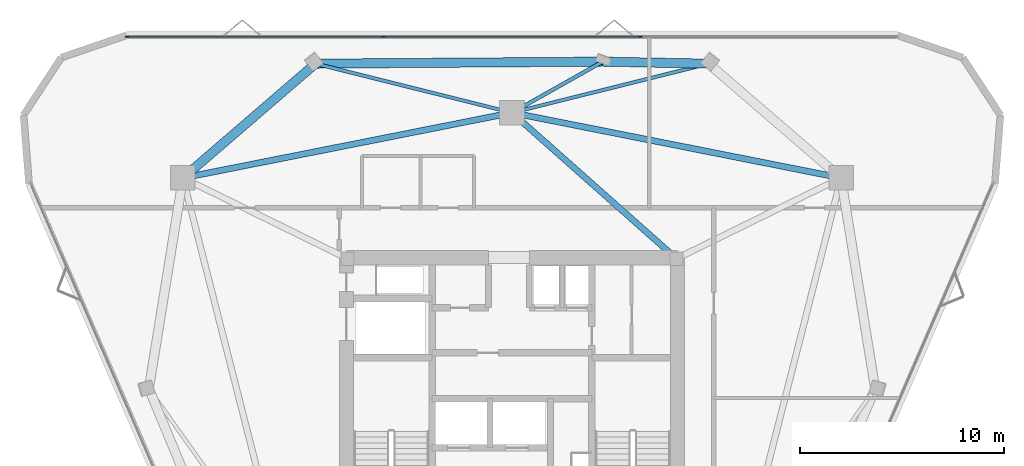
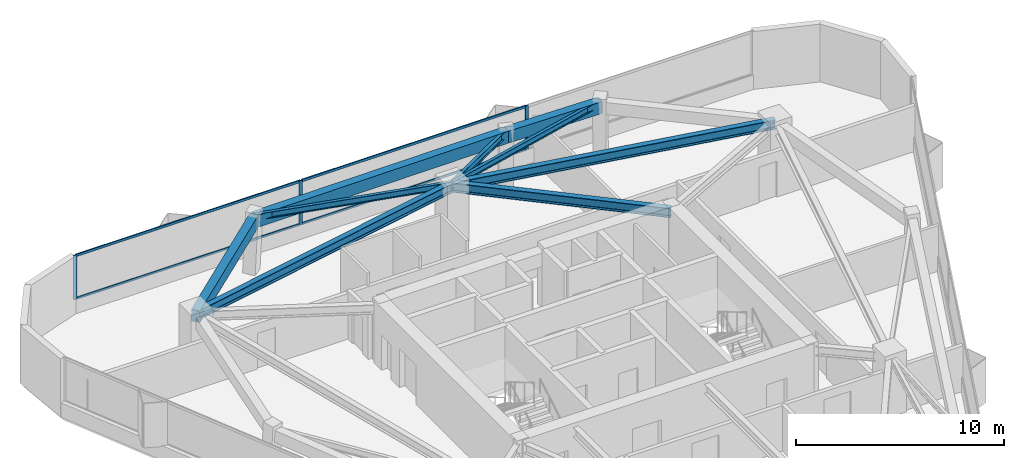
# One storey, part 6 of 11: 9 beams, 7 members, 1 element without a shape of its own.
"""IFC4 building model written with IfcOpenShell, lengths in metres."""

from ifc_helpers import new_model, si_unit, direction, frame, origin, origin_2d, place, context, subcontext, project, spatial, rectangle, i_section, extrude, material, layer, layer_set, material_profile, profile_set, type_object, element, aggregate, save


model = new_model("IFC4")

# Units and contexts
model_context = context("Model", 3, precision=1e-05, world=origin(), true_north=direction((0.0, 1.0)))
body_context = subcontext(model_context, "Body", "Model", "MODEL_VIEW")
ifc_project = project(units=[si_unit("LENGTHUNIT", "METRE"), si_unit("AREAUNIT", "SQUARE_METRE"), si_unit("VOLUMEUNIT", "CUBIC_METRE"), si_unit("PLANEANGLEUNIT", "RADIAN"), si_unit("MASSUNIT", "GRAM", prefix="KILO")], contexts=[model_context])

# Site, building, storey
site_placement = place(None, origin())
site = spatial("IfcSite", under=ifc_project, at=site_placement, CompositionType="ELEMENT")
building_placement = place(site_placement, origin())
building = spatial("IfcBuilding", under=site, at=building_placement, Name="Talyreon Biosciences Tower", CompositionType="ELEMENT")
storey_placement = place(building_placement, frame((0.0, 0.0, 242.550048828125)))
storey = spatial("IfcBuildingStorey", under=building, at=storey_placement, Name="L64", CompositionType="ELEMENT", Elevation=242.550048828125)

# Curtain wall, members
ifc_material_1 = material(Name="Thermally broken aluminium and low-E glazing", Category="aluminium")
ifc_layer = layer(ifc_material_1, 0.175048828125)
ifc_layer_set = layer_set([ifc_layer], Name="Thermally broken aluminium and low-E glazing")
curtain_wall_type = type_object("IfcCurtainWallType", Name="CurtainWall_Zone5CompLab", PredefinedType="NOTDEFINED", material=ifc_layer_set)
curtain_wall_placement = place(storey_placement, origin())
curtain_wall = element("IfcCurtainWall", 1, at=curtain_wall_placement, inside=storey, type_object=curtain_wall_type, Name="L64 Unitised Curtain Wall FCW-L64-04", PredefinedType="NOTDEFINED")
ifc_material_2 = material(Name="Anodised thermally broken aluminium", Category="aluminium")
ifc_material_profile_1 = material_profile(ifc_material_2, rectangle(XDim=0.06494140625, YDim=0.179931640625, at=origin_2d()), Name="ALUM MULLION 65x180")
ifc_profile_set_1 = profile_set([ifc_material_profile_1], Name="Anodised thermally broken aluminium")
member_type_1 = type_object("IfcMemberType", Name="CWMullion_65x180", PredefinedType="MULLION", material=ifc_profile_set_1)
member_1_placement = place(storey_placement, frame((47.1630859375, 85.504638671875, 0.81005859375), z_axis=(0.0, 0.0, 1.0), x_axis=(0.0, 1.0, 0.0)))
member_1 = element("IfcMember", 2, at=member_1_placement, type_object=member_type_1, Name="CW6 mullion 1", PredefinedType="MULLION", context=body_context, shape_type="SweptSolid", body=[
    extrude(rectangle(XDim=0.06494140625, YDim=0.179931640625, at=origin_2d()), origin(), (0.0, 0.0, 1.0), 2.58984375),
])
member_2_placement = place(storey_placement, frame((59.710205078125, 85.504638671875, 0.81005859375), z_axis=(0.0, 0.0, 1.0), x_axis=(0.0, 1.0, 0.0)))
member_2 = element("IfcMember", 3, at=member_2_placement, type_object=member_type_1, Name="CW6 mullion 2", PredefinedType="MULLION", context=body_context, shape_type="SweptSolid", body=[
    extrude(rectangle(XDim=0.06494140625, YDim=0.179931640625, at=origin_2d()), origin(), (0.0, 0.0, 1.0), 2.58984375),
])
member_3_placement = place(storey_placement, frame((72.289794921875, 85.504638671875, 0.81005859375), z_axis=(0.0, 0.0, 1.0), x_axis=(0.0, 1.0, 0.0)))
member_3 = element("IfcMember", 4, at=member_3_placement, type_object=member_type_1, Name="CW6 mullion 3", PredefinedType="MULLION", context=body_context, shape_type="SweptSolid", body=[
    extrude(rectangle(XDim=0.06494140625, YDim=0.179931640625, at=origin_2d()), origin(), (0.0, 0.0, 1.0), 2.58984375),
])
ifc_material_profile_2 = material_profile(ifc_material_2, rectangle(XDim=0.06494140625, YDim=0.139892578125, at=origin_2d()), Name="ALUM TRANSOM 65x140")
ifc_profile_set_2 = profile_set([ifc_material_profile_2], Name="Anodised thermally broken aluminium")
member_type_2 = type_object("IfcMemberType", Name="CWTransom_65x140", PredefinedType="USERDEFINED", material=ifc_profile_set_2)
member_4_placement = place(storey_placement, frame((47.19580078125, 85.504638671875, 0.842529296875), z_axis=(1.0, 0.0, 0.0), x_axis=(0.0, 1.0, 0.0)))
member_4 = element("IfcMember", 5, at=member_4_placement, type_object=member_type_2, Name="CW6 transom 1.1", ObjectType="TRANSOM", PredefinedType="USERDEFINED", context=body_context, shape_type="SweptSolid", body=[
    extrude(rectangle(XDim=0.06494140625, YDim=0.139892578125, at=origin_2d()), origin(), (0.0, 0.0, 1.0), 12.48193359375),
])
member_5_placement = place(storey_placement, frame((47.19580078125, 85.504638671875, 3.367431640625), z_axis=(1.0, 0.0, 0.0), x_axis=(0.0, 1.0, 0.0)))
member_5 = element("IfcMember", 6, at=member_5_placement, type_object=member_type_2, Name="CW6 transom 1.2", ObjectType="TRANSOM", PredefinedType="USERDEFINED", context=body_context, shape_type="SweptSolid", body=[
    extrude(rectangle(XDim=0.06494140625, YDim=0.139892578125, at=origin_2d()), origin(), (0.0, 0.0, 1.0), 12.48193359375),
])
member_6_placement = place(storey_placement, frame((59.74267578125, 85.504638671875, 0.842529296875), z_axis=(1.0, 0.0, 0.0), x_axis=(0.0, 1.0, 0.0)))
member_6 = element("IfcMember", 7, at=member_6_placement, type_object=member_type_2, Name="CW6 transom 2.1", ObjectType="TRANSOM", PredefinedType="USERDEFINED", context=body_context, shape_type="SweptSolid", body=[
    extrude(rectangle(XDim=0.06494140625, YDim=0.139892578125, at=origin_2d()), origin(), (0.0, 0.0, 1.0), 12.514404296875),
])
member_7_placement = place(storey_placement, frame((59.74267578125, 85.504638671875, 3.367431640625), z_axis=(1.0, 0.0, 0.0), x_axis=(0.0, 1.0, 0.0)))
member_7 = element("IfcMember", 8, at=member_7_placement, type_object=member_type_2, Name="CW6 transom 2.2", ObjectType="TRANSOM", PredefinedType="USERDEFINED", context=body_context, shape_type="SweptSolid", body=[
    extrude(rectangle(XDim=0.06494140625, YDim=0.139892578125, at=origin_2d()), origin(), (0.0, 0.0, 1.0), 12.514404296875),
])
aggregate(curtain_wall, [member_1, member_2, member_3, member_4, member_5, member_6, member_7])

# Beams
ifc_material_3 = material(Name="Precast concrete C45/55", Category="concrete")
ifc_material_profile_3 = material_profile(ifc_material_3, rectangle(XDim=0.449951171875, YDim=0.699951171875, at=origin_2d()), Name="RCB 450x700")
ifc_profile_set_3 = profile_set([ifc_material_profile_3], Name="Precast concrete C45/55")
beam_type_1 = type_object("IfcBeamType", Name="ExpressedSpandrel_450x700", PredefinedType="SPANDREL", material=ifc_profile_set_3)
beam_1_placement = place(storey_placement, frame((75.615966796875, 84.190185546875, 3.050048828125), z_axis=(-0.99981409286, 0.019281590154, 0.0), x_axis=(-0.019281590154, -0.99981409286, 0.0)))
element("IfcBeam", 9, at=beam_1_placement, inside=storey, type_object=beam_type_1, Name="L64 Expressed Horizontal Concrete Spandrel 06", PredefinedType="SPANDREL", context=body_context, shape_type="SweptSolid", body=[
    extrude(rectangle(XDim=0.449951171875, YDim=0.699951171875, at=origin_2d()), origin(), (0.0, 0.0, 1.0), 5.1787109375),
])
beam_2_placement = place(storey_placement, frame((70.438232421875, 84.2900390625, 3.050048828125), z_axis=(-0.999974761237, -0.007104708984, 0.0), x_axis=(0.007104708984, -0.999974761237, 0.0)))
element("IfcBeam", 10, at=beam_2_placement, inside=storey, type_object=beam_type_1, Name="L64 Expressed Horizontal Concrete Spandrel 07", PredefinedType="SPANDREL", context=body_context, shape_type="SweptSolid", body=[
    extrude(rectangle(XDim=0.449951171875, YDim=0.699951171875, at=origin_2d()), origin(), (0.0, 0.0, 1.0), 14.054443359375),
])
beam_3_placement = place(storey_placement, frame((56.384033203125, 84.190185546875, 3.050048828125), z_axis=(-0.757416281683, -0.652932290702, 0.0), x_axis=(0.652932290702, -0.757416281683, 0.0)))
element("IfcBeam", 11, at=beam_3_placement, inside=storey, type_object=beam_type_1, Name="L64 Expressed Horizontal Concrete Spandrel 08", PredefinedType="SPANDREL", context=body_context, shape_type="SweptSolid", body=[
    extrude(rectangle(XDim=0.449951171875, YDim=0.699951171875, at=origin_2d()), origin(), (0.0, 0.0, 1.0), 8.563720703125),
])
ifc_material_4 = material(Name="Steel SM355", Category="steel")
ifc_material_profile_4 = material_profile(ifc_material_4, i_section(OverallWidth=0.300048828125, OverallDepth=0.550048828125, WebThickness=0.014892578125, FlangeThickness=0.029052734375, FilletRadius=0.027099609375, at=origin_2d()), Name="HE550B")
ifc_profile_set_4 = profile_set([ifc_material_profile_4], Name="Steel SM355")
beam_type_2 = type_object("IfcBeamType", Name="SteelBeam_HE550B", PredefinedType="BEAM", material=ifc_profile_set_4)
for number, where, z_axis, x_axis, name in (
    (12, (82.102294921875, 78.5986328125, 3.125), (-0.980933730698, 0.194342522311, 0.0), (-0.194342522311, -0.980933730698, 0.0), "L64 Mega-Ring Girder 3"),
    (13, (66.0, 81.788818359375, 3.125), (-0.980933730698, -0.194342522311, 0.0), (0.194342522311, -0.980933730698, 0.0), "L64 Mega-Ring Girder 4"),
):
    element("IfcBeam", number, at=place(storey_placement, frame(where, z_axis=z_axis, x_axis=x_axis)), inside=storey, type_object=beam_type_2, Name=name, PredefinedType="BEAM", context=body_context, shape_type="SweptSolid", body=[
        extrude(i_section(OverallWidth=0.300048828125, OverallDepth=0.550048828125, WebThickness=0.014892578125, FlangeThickness=0.029052734375, FilletRadius=0.027099609375, at=origin_2d()), origin(), (0.0, 0.0, 1.0), 16.415283203125),
    ])
beam_4_placement = place(storey_placement, frame((74.050048828125, 74.64990234375, 3.125), z_axis=(-0.748178733955, 0.663497235908, 0.0), x_axis=(-0.663497235908, -0.748178733955, 0.0)))
element("IfcBeam", 14, at=beam_4_placement, inside=storey, type_object=beam_type_2, Name="L64 Radial Primary Girder 4", PredefinedType="BEAM", context=body_context, shape_type="SweptSolid", body=[
    extrude(i_section(OverallWidth=0.300048828125, OverallDepth=0.550048828125, WebThickness=0.014892578125, FlangeThickness=0.029052734375, FilletRadius=0.027099609375, at=origin_2d()), origin(), (0.0, 0.0, 1.0), 10.759521484375),
])
ifc_material_profile_5 = material_profile(ifc_material_4, i_section(OverallWidth=0.169921875, OverallDepth=0.360107421875, WebThickness=0.008056640625, FlangeThickness=0.0126953125, FilletRadius=0.01806640625, at=origin_2d()), Name="IPE360")
ifc_profile_set_5 = profile_set([ifc_material_profile_5], Name="Steel SM355")
beam_type_3 = type_object("IfcBeamType", Name="SteelJoist_IPE360", PredefinedType="JOIST", material=ifc_profile_set_5)
for number, where, z_axis, x_axis, name in (
    (15, (66.0, 81.788818359375, 3.219970703125), (0.970204774157, 0.242286392937, 0.0), (-0.242286392937, 0.970204774157, 0.0), "L64 Radial Composite Floor Joist PC-N1"),
    (16, (66.0, 81.788818359375, 3.219970703125), (-0.970204774157, 0.242286392937, 0.0), (-0.242286392937, -0.970204774157, 0.0), "L64 Radial Composite Floor Joist PC-N2"),
):
    element("IfcBeam", number, at=place(storey_placement, frame(where, z_axis=z_axis, x_axis=x_axis)), inside=storey, type_object=beam_type_3, Name=name, PredefinedType="JOIST", context=body_context, shape_type="SweptSolid", body=[
        extrude(i_section(OverallWidth=0.169921875, OverallDepth=0.360107421875, WebThickness=0.008056640625, FlangeThickness=0.0126953125, FilletRadius=0.01806640625, at=origin_2d()), origin(), (0.0, 0.0, 1.0), 9.911376953125),
    ])
ifc_material_profile_6 = material_profile(ifc_material_4, i_section(OverallWidth=0.179931640625, OverallDepth=0.39990234375, WebThickness=0.008544921875, FlangeThickness=0.013427734375, FilletRadius=0.02099609375, at=origin_2d()), Name="IPE400")
ifc_profile_set_6 = profile_set([ifc_material_profile_6], Name="Steel SM355")
beam_type_4 = type_object("IfcBeamType", Name="SteelJoist_IPE400", PredefinedType="JOIST", material=ifc_profile_set_6)
beam_5_placement = place(storey_placement, frame((66.0, 81.788818359375, 3.199951171875), z_axis=(0.871179787808, 0.490964130375, 0.0), x_axis=(-0.490964130375, 0.871179787808, 0.0)))
element("IfcBeam", 17, at=beam_5_placement, inside=storey, type_object=beam_type_4, Name="L64 Radial Composite Floor Joist PL-N", PredefinedType="JOIST", context=body_context, shape_type="SweptSolid", body=[
    extrude(i_section(OverallWidth=0.179931640625, OverallDepth=0.39990234375, WebThickness=0.008544921875, FlangeThickness=0.013427734375, FilletRadius=0.02099609375, at=origin_2d()), origin(), (0.0, 0.0, 1.0), 5.094482421875),
])

save(model, "model.ifc")
